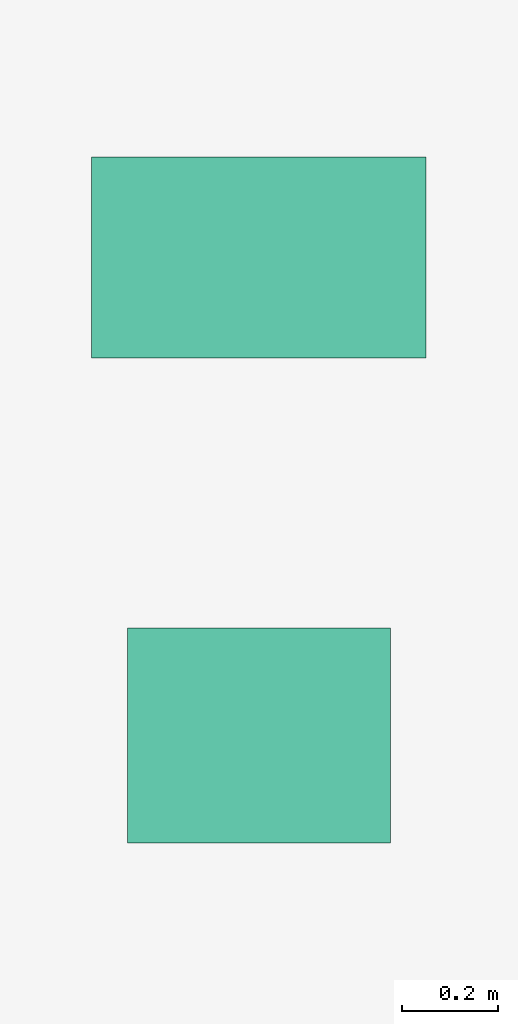
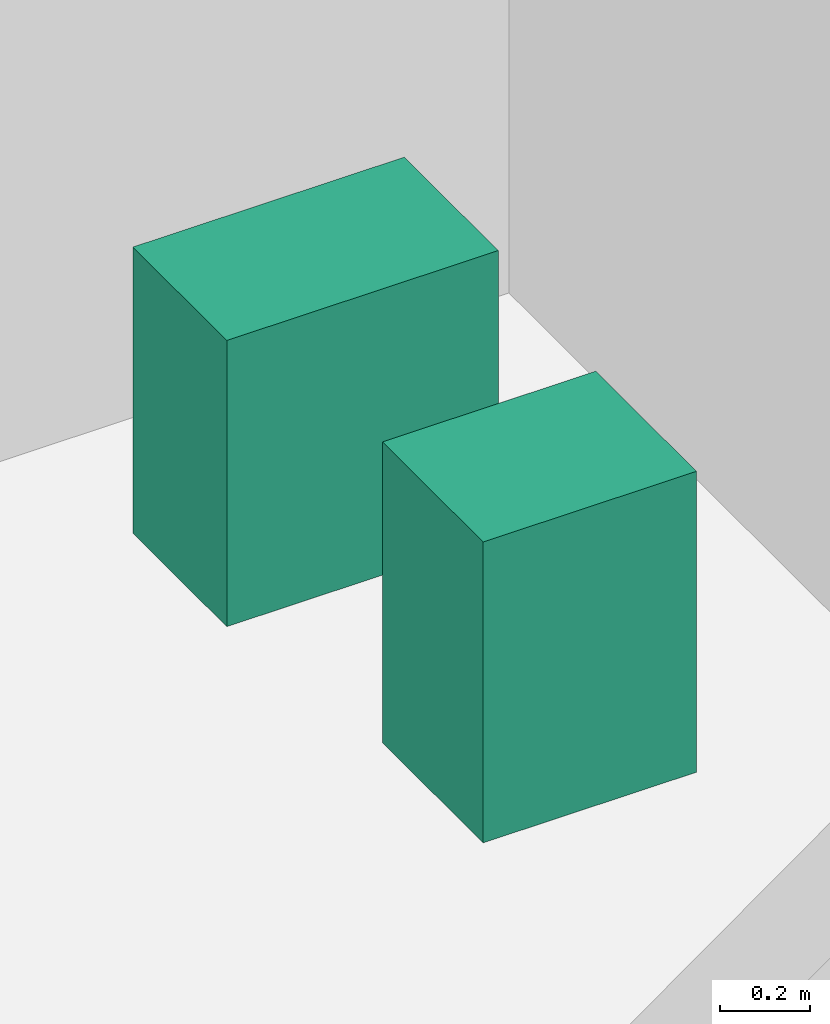
# One storey, part 22 of 22: 2 sanitary terminals.
"""IFC4 building model written with IfcOpenShell, lengths in metres."""

from ifc_helpers import new_model, si_unit, direction, frame, origin, origin_2d, place, context, subcontext, project, spatial, rectangle, extrude, source, transform, mapped, material, type_object, element, save


model = new_model("IFC4")

# Units and contexts
model_context = context("Model", 3, precision=1e-05, world=origin(), true_north=direction((0.0, 1.0)))
body_context = subcontext(model_context, "Body", "Model", "MODEL_VIEW")
ifc_project = project(units=[si_unit("LENGTHUNIT", "METRE"), si_unit("AREAUNIT", "SQUARE_METRE"), si_unit("VOLUMEUNIT", "CUBIC_METRE"), si_unit("PLANEANGLEUNIT", "RADIAN"), si_unit("MASSUNIT", "GRAM", prefix="KILO")], contexts=[model_context])

# Site, building, storey
site_placement = place(None, origin())
site = spatial("IfcSite", under=ifc_project, at=site_placement, CompositionType="ELEMENT")
building_placement = place(site_placement, origin())
building = spatial("IfcBuilding", under=site, at=building_placement, Name="Sumidabori Civic Tower", CompositionType="ELEMENT")
storey_placement = place(building_placement, frame((0.0, 0.0, 279.199951171875)))
storey = spatial("IfcBuildingStorey", under=building, at=storey_placement, Name="L73", CompositionType="ELEMENT", Elevation=279.199951171875)

# Sanitary terminals
ifc_material = material(Name="Vitreous Sanitary Porcelain")
sanitary_terminal_type_1 = type_object("IfcSanitaryTerminalType", Name="SN-WC-1", PredefinedType="TOILETPAN", material=ifc_material)
shared_shape_1 = source(origin(), body_context, "Body", "SweptSolid", [
    extrude(rectangle(XDim=0.699951171875, YDim=0.419921875, at=origin_2d()), origin(), (0.0, 0.0, 1.0), 0.780029296875),
])
sanitary_terminal_1_placement = place(storey_placement, frame((10.800048828125, 21.85009765625, 0.0), z_axis=(0.0, 0.0, 1.0), x_axis=(1.0, 0.0, 0.0)))
element("IfcSanitaryTerminal", 1, at=sanitary_terminal_1_placement, inside=storey, type_object=sanitary_terminal_type_1, Name="Accessible WC Pan L73", PredefinedType="TOILETPAN", context=body_context, shape_type="MappedRepresentation", body=[
    mapped(shared_shape_1, transform((0.0, 0.0, 0.0), x_axis=(1.0, 0.0, 0.0), y_axis=(0.0, 1.0, 0.0), z_axis=(0.0, 0.0, 1.0), scale=1.0)),
])
sanitary_terminal_type_2 = type_object("IfcSanitaryTerminalType", Name="SN-BAS-1", PredefinedType="WASHHANDBASIN", material=ifc_material)
shared_shape_2 = source(origin(), body_context, "Body", "SweptSolid", [
    extrude(rectangle(XDim=0.550048828125, YDim=0.449951171875, at=origin_2d()), origin(), (0.0, 0.0, 1.0), 0.820068359375),
])
sanitary_terminal_2_placement = place(storey_placement, frame((10.800048828125, 20.85009765625, 0.0), z_axis=(0.0, 0.0, 1.0), x_axis=(1.0, 0.0, 0.0)))
element("IfcSanitaryTerminal", 2, at=sanitary_terminal_2_placement, inside=storey, type_object=sanitary_terminal_type_2, Name="Accessible Basin L73", PredefinedType="WASHHANDBASIN", context=body_context, shape_type="MappedRepresentation", body=[
    mapped(shared_shape_2, transform((0.0, 0.0, 0.0), x_axis=(1.0, 0.0, 0.0), y_axis=(0.0, 1.0, 0.0), z_axis=(0.0, 0.0, 1.0), scale=1.0)),
])

save(model, "model.ifc")
